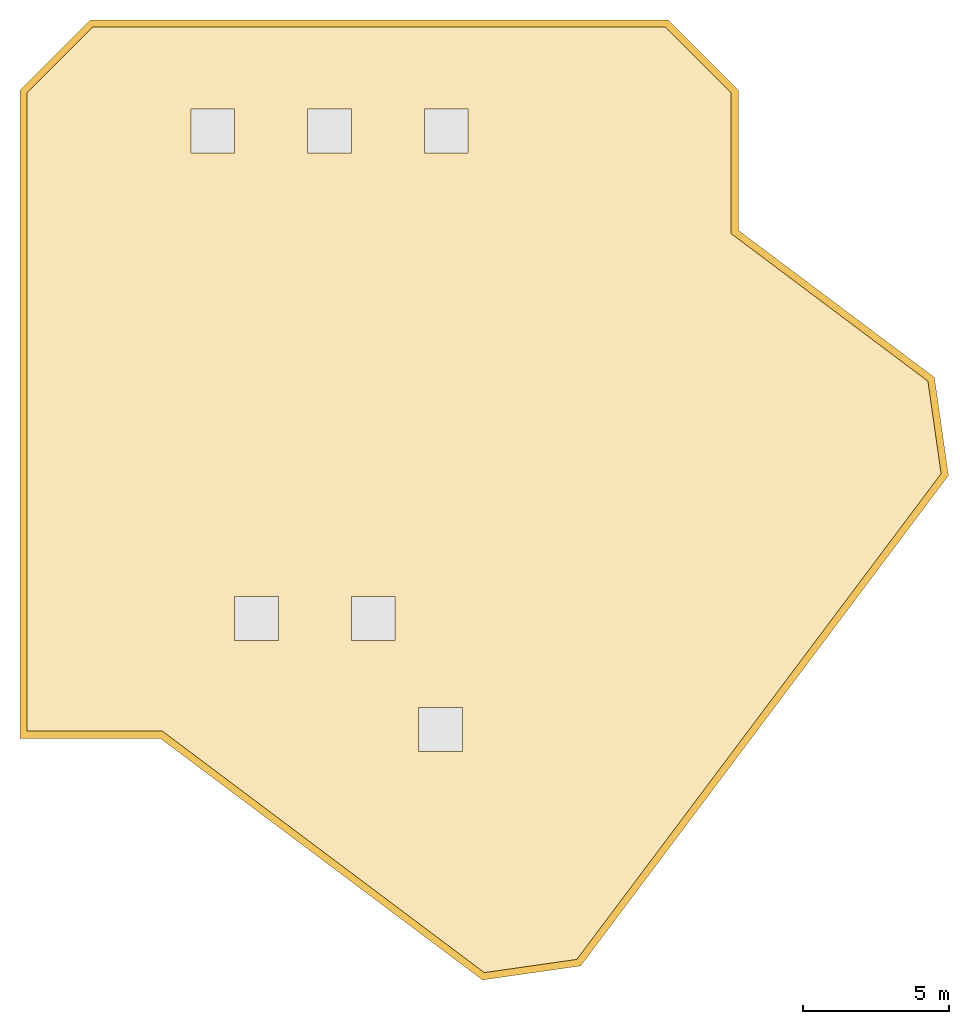
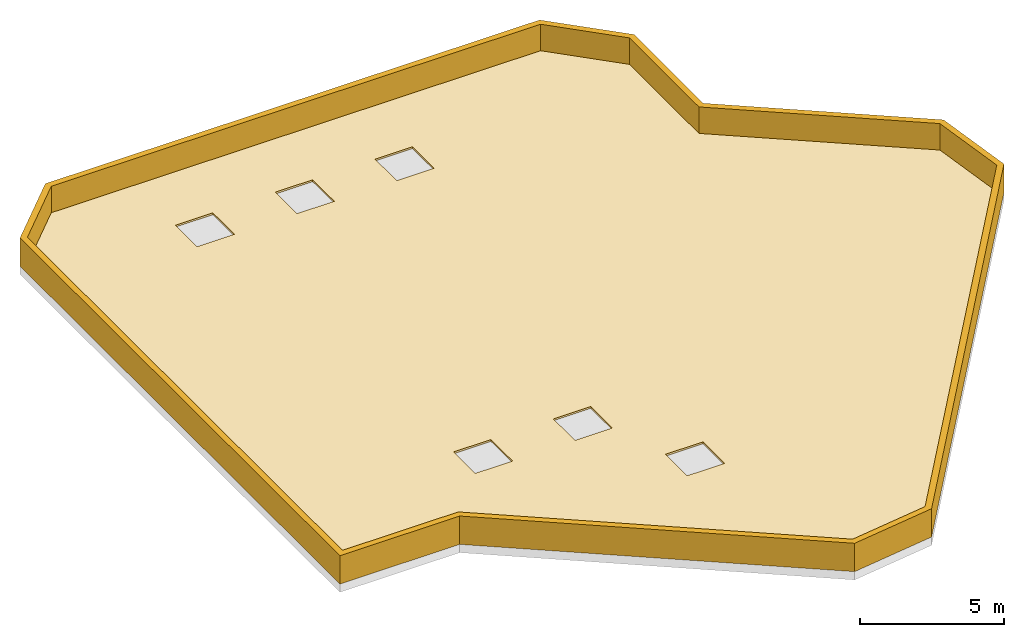
# One storey, part 2 of 2: 2 coverings, 1 element without a shape of its own.
"""IFC4 building model written with IfcOpenShell, lengths in metres."""

from ifc_helpers import new_model, si_unit, direction, frame, origin, place, context, subcontext, project, spatial, polyline, outline, extrude, material, layer, layer_set, type_object, element, aggregate, save


model = new_model("IFC4")

# Units and contexts
model_context = context("Model", 3, precision=1e-05, world=origin(), true_north=direction((0.0, 1.0)))
body_context = subcontext(model_context, "Body", "Model", "MODEL_VIEW")
ifc_project = project(units=[si_unit("LENGTHUNIT", "METRE"), si_unit("AREAUNIT", "SQUARE_METRE"), si_unit("VOLUMEUNIT", "CUBIC_METRE"), si_unit("PLANEANGLEUNIT", "RADIAN"), si_unit("MASSUNIT", "GRAM", prefix="KILO")], contexts=[model_context])

# Site, building, storey
site_placement = place(None, origin())
site = spatial("IfcSite", under=ifc_project, at=site_placement, CompositionType="ELEMENT")
building_placement = place(site_placement, origin())
building = spatial("IfcBuilding", under=site, at=building_placement, Name="Hatsunagi Terrace Concourse", CompositionType="ELEMENT")
storey_placement = place(building_placement, frame((0.0, 0.0, 294.14990234375)))
storey = spatial("IfcBuildingStorey", under=building, at=storey_placement, Name="ROOF", CompositionType="ELEMENT", Elevation=294.14990234375)

# Roof, coverings
ifc_material_1 = material(Name="Concrete Fc42", Category="concrete")
ifc_layer_1 = layer(ifc_material_1, 0.35009765625)
ifc_layer_set_1 = layer_set([ifc_layer_1], Name="CrownFlatRoofAssembly_350")
roof_type = type_object("IfcRoofType", Name="CrownFlatRoofAssembly_350", PredefinedType="FLAT_ROOF", material=ifc_layer_set_1)
roof_placement = place(storey_placement, origin())
roof = element("IfcRoof", 1, at=roof_placement, inside=storey, type_object=roof_type, Name="Crown Mechanical Penthouse Flat Roof Assembly", PredefinedType="FLAT_ROOF")
ifc_material_2 = material(Name="SBS Elastomeric Waterproofing and Inverted Insulation", Category="membrane")
ifc_layer_2 = layer(ifc_material_2, 0.080078125)
ifc_layer_set_2 = layer_set([ifc_layer_2], Name="CrownElastomericRoofing_80")
covering_type_1 = type_object("IfcCoveringType", Name="CrownElastomericRoofing_80", PredefinedType="ROOFING", material=ifc_layer_set_2)
covering_1_placement = place(storey_placement, origin())
covering_1 = element("IfcCovering", 2, at=covering_1_placement, type_object=covering_type_1, Name="Crown Elastomeric Waterproofing Membrane ROOF-01", PredefinedType="ROOFING", context=body_context, shape_type="SweptSolid", body=[
    extrude(outline(polyline([(45.0, 40.800048828125), (45.0, 45.60009765625), (42.60009765625, 48.0), (22.800048828125, 48.0), (20.39990234375, 45.60009765625), (20.39990234375, 23.39990234375), (25.199951171875, 23.39990234375), (36.239990234375, 15.1201171875), (39.60009765625, 15.60009765625), (52.199951171875, 32.39990234375), (51.719970703125, 35.760009765625), (45.0, 40.800048828125)]), holes=[polyline([(26.25, 43.449951171875), (27.75, 43.449951171875), (27.75, 44.949951171875), (26.25, 44.949951171875), (26.25, 43.449951171875)]), polyline([(30.25, 43.449951171875), (31.75, 43.449951171875), (31.75, 44.949951171875), (30.25, 44.949951171875), (30.25, 43.449951171875)]), polyline([(34.25, 43.449951171875), (35.75, 43.449951171875), (35.75, 44.949951171875), (34.25, 44.949951171875), (34.25, 43.449951171875)]), polyline([(27.75, 26.75), (29.25, 26.75), (29.25, 28.25), (27.75, 28.25), (27.75, 26.75)]), polyline([(31.75, 26.75), (33.25, 26.75), (33.25, 28.25), (31.75, 28.25), (31.75, 26.75)]), polyline([(34.050048828125, 22.949951171875), (35.550048828125, 22.949951171875), (35.550048828125, 24.449951171875), (34.050048828125, 24.449951171875), (34.050048828125, 22.949951171875)])]), origin(), (0.0, 0.0, 1.0), 0.080078125),
])
ifc_material_3 = material(Name="Unglazed Warm Terracotta Rainscreen Tile", Category="masonry")
ifc_layer_3 = layer(ifc_material_3, 0.239990234375)
ifc_layer_set_3 = layer_set([ifc_layer_3], Name="CrownRoofParapetCoping_1200")
covering_type_2 = type_object("IfcCoveringType", Name="CrownRoofParapetCoping_1200", PredefinedType="CLADDING", material=ifc_layer_set_3)
covering_2_placement = place(storey_placement, origin())
covering_2 = element("IfcCovering", 3, at=covering_2_placement, type_object=covering_type_2, Name="Crown Terracotta Parapet Coping Upstand CLAD-RF", PredefinedType="CLADDING", context=body_context, shape_type="SweptSolid", body=[
    extrude(outline(polyline([(45.0, 40.800048828125), (45.0, 45.60009765625), (42.60009765625, 48.0), (22.800048828125, 48.0), (20.39990234375, 45.60009765625), (20.39990234375, 23.39990234375), (25.199951171875, 23.39990234375), (36.239990234375, 15.1201171875), (39.60009765625, 15.60009765625), (52.199951171875, 32.39990234375), (51.719970703125, 35.760009765625), (45.0, 40.800048828125)]), holes=[polyline([(44.760009765625, 40.679931640625), (51.49609375, 35.6279296875), (51.947998046875, 32.464111328125), (39.468017578125, 15.823974609375), (36.303955078125, 15.3720703125), (25.280029296875, 23.639892578125), (20.639892578125, 23.639892578125), (20.639892578125, 45.5009765625), (22.89892578125, 47.760009765625), (42.5009765625, 47.760009765625), (44.760009765625, 45.5009765625), (44.760009765625, 40.679931640625)])]), origin(), (0.0, 0.0, 1.0), 1.2001953125),
])
aggregate(roof, [covering_1, covering_2])

save(model, "model.ifc")
